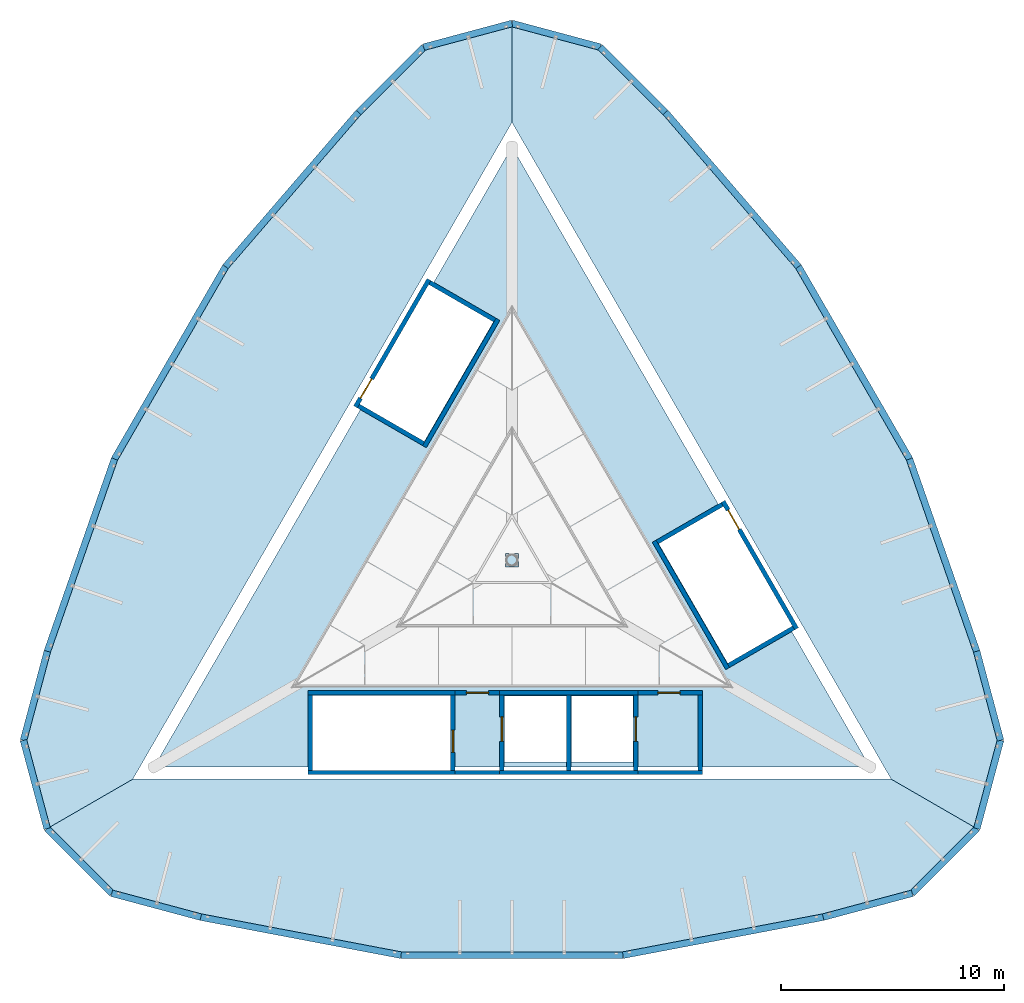
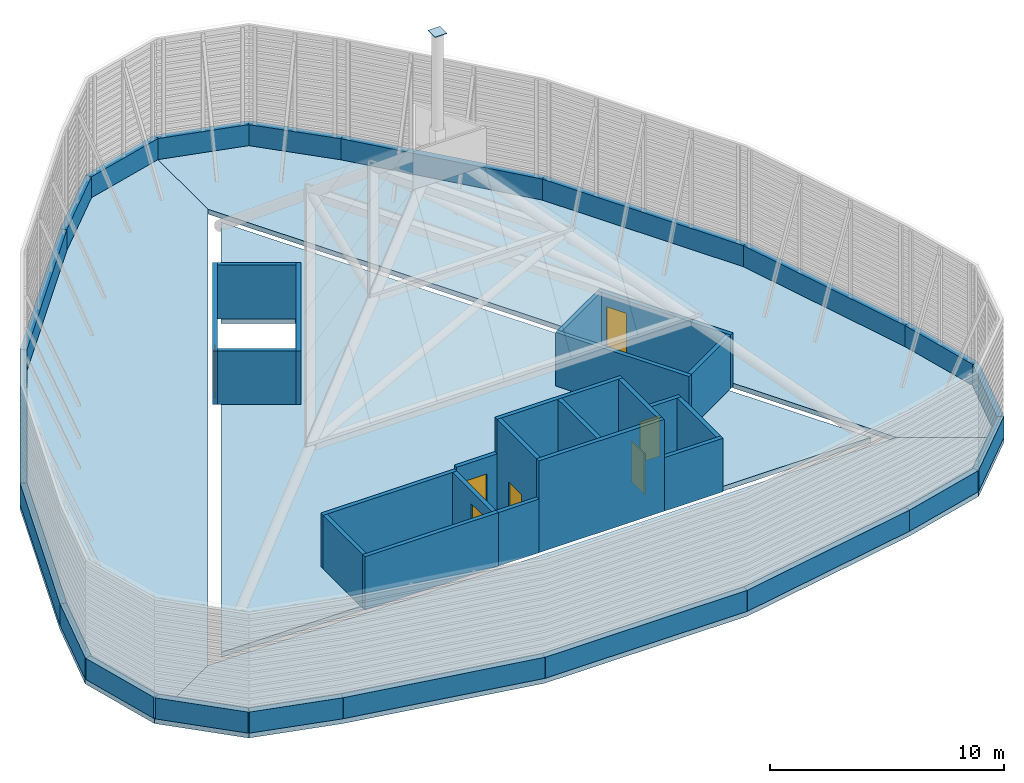
# One storey, part 2 of 6: 43 walls, 7 doors, 4 slabs, 1 plate, 7 openings.
"""IFC4 building model written with IfcOpenShell, lengths in metres."""

from ifc_helpers import new_model, si_unit, direction, frame, frame_2d, origin, origin_2d, place, context, subcontext, project, spatial, polyline, rectangle, outline, extrude, material, layer, layer_set, type_object, element, fill, save


model = new_model("IFC4")

# Units and contexts
model_context = context("Model", 3, precision=1e-05, world=origin(), true_north=direction((0.0, 1.0)))
body_context = subcontext(model_context, "Body", "Model", "MODEL_VIEW")
ifc_project = project(units=[si_unit("LENGTHUNIT", "METRE"), si_unit("AREAUNIT", "SQUARE_METRE"), si_unit("VOLUMEUNIT", "CUBIC_METRE"), si_unit("PLANEANGLEUNIT", "RADIAN"), si_unit("MASSUNIT", "GRAM", prefix="KILO")], contexts=[model_context])

# Site, building, storey
site_placement = place(None, origin())
site = spatial("IfcSite", under=ifc_project, at=site_placement, CompositionType="ELEMENT")
building_placement = place(site_placement, origin())
building = spatial("IfcBuilding", under=site, at=building_placement, Name="Trikona Tower", CompositionType="ELEMENT")
storey_placement = place(building_placement, frame((0.0, 0.0, 303.800048828125)))
storey = spatial("IfcBuildingStorey", under=building, at=storey_placement, Name="RF", CompositionType="ELEMENT", Elevation=303.800048828125)

# Plate
ifc_material_1 = material(Name="Steel ASTM A572 Grade 50", Category="steel")
ifc_layer_1 = layer(ifc_material_1, 0.02490234375)
ifc_layer_set_1 = layer_set([ifc_layer_1], Name="Spire mast cap plate 25")
plate_type = type_object("IfcPlateType", Name="Spire mast cap plate 25", PredefinedType="USERDEFINED", material=ifc_layer_set_1)
plate_placement = place(storey_placement, frame((0.0, 0.0, 21.175048828125), z_axis=(0.0, 0.0, 1.0), x_axis=(1.0, 0.0, 0.0)))
element("IfcPlate", 1, at=plate_placement, inside=storey, type_object=plate_type, Name="Spire mast cap plate", ObjectType="SPIRE MAST CAP PLATE", PredefinedType="USERDEFINED", context=body_context, shape_type="SweptSolid", body=[
    extrude(rectangle(XDim=0.60009765625, YDim=0.60009765625, at=origin_2d()), origin(), (0.0, 0.0, 1.0), 0.02490234375),
])

# Slabs
ifc_material_2 = material(Name="Concrete f'c 5000 psi on composite steel deck", Category="concrete")
ifc_layer_2 = layer(ifc_material_2, 0.25)
ifc_layer_set_2 = layer_set([ifc_layer_2], Name="Terrace slab 250")
slab_type = type_object("IfcSlabType", Name="Terrace slab 250", PredefinedType="ROOF", material=ifc_layer_set_2)
slab_1_placement = place(storey_placement, frame((0.0, 0.0, -0.25)))
element("IfcSlab", 2, at=slab_1_placement, inside=storey, type_object=slab_type, Name="Roof slab core", PredefinedType="ROOF", context=body_context, shape_type="SweptSolid", body=[
    extrude(outline(polyline([(-16.06689453125, -9.2763671875), (-8.949951171875, -9.2763671875), (-8.949951171875, -6.076416015625), (-2.75, -6.076416015625), (-2.75, -9.2763671875), (16.06689453125, -9.2763671875), (12.45849609375, -3.026123046875), (9.687255859375, -4.626220703125), (6.587158203125, 0.7431640625), (9.3583984375, 2.34326171875), (0.0, 18.552490234375), (-3.6083984375, 12.302490234375), (-0.837158203125, 10.702392578125), (-3.937255859375, 5.3330078125), (-6.70849609375, 6.93310546875), (-16.06689453125, -9.2763671875)]), holes=[polyline([(5.43994140625, -9.06640625), (5.43994140625, -6.086181640625), (2.659912109375, -6.086181640625), (2.659912109375, -9.06640625), (5.43994140625, -9.06640625)]), polyline([(2.43994140625, -6.086181640625), (-0.340087890625, -6.086181640625), (-0.340087890625, -9.06640625), (2.43994140625, -9.06640625), (2.43994140625, -6.086181640625)])]), origin(), (0.0, 0.0, 1.0), 0.25),
])
slab_2_placement = place(storey_placement, frame((0.0, 0.0, -0.25)))
element("IfcSlab", 3, at=slab_2_placement, inside=storey, type_object=slab_type, Name="Roof slab south", PredefinedType="ROOF", context=body_context, shape_type="SweptSolid", body=[
    extrude(outline(polyline([(21.0, -12.12451171875), (17.01953125, -9.826416015625), (-17.01953125, -9.826416015625), (-21.0, -12.12451171875), (-18.04150390625, -15.0830078125), (-14.0, -16.165771484375), (-5.0, -17.875732421875), (5.0, -17.875732421875), (14.0, -16.165771484375), (18.04150390625, -15.0830078125), (21.0, -12.12451171875)])), origin(), (0.0, 0.0, 1.0), 0.25),
])
slab_3_placement = place(storey_placement, frame((0.0, 0.0, -0.25)))
element("IfcSlab", 4, at=slab_3_placement, inside=storey, type_object=slab_type, Name="Roof slab north-east", PredefinedType="ROOF", context=body_context, shape_type="SweptSolid", body=[
    extrude(outline(polyline([(4.04150390625, 23.165771484375), (0.0, 24.248779296875), (0.0, 19.652587890625), (17.01953125, -9.826416015625), (21.0, -12.12451171875), (22.0830078125, -8.0830078125), (21.0, -4.04150390625), (17.98095703125, 4.60791015625), (12.98095703125, 13.26806640625), (7.0, 20.207275390625), (4.04150390625, 23.165771484375)])), origin(), (0.0, 0.0, 1.0), 0.25),
])
slab_4_placement = place(storey_placement, frame((0.0, 0.0, -0.25)))
element("IfcSlab", 5, at=slab_4_placement, inside=storey, type_object=slab_type, Name="Roof slab north-west", PredefinedType="ROOF", context=body_context, shape_type="SweptSolid", body=[
    extrude(outline(polyline([(-7.0, 20.207275390625), (-12.98095703125, 13.26806640625), (-17.98095703125, 4.60791015625), (-21.0, -4.04150390625), (-22.0830078125, -8.0830078125), (-21.0, -12.12451171875), (-17.01953125, -9.826416015625), (0.0, 19.652587890625), (0.0, 24.248779296875), (-4.04150390625, 23.165771484375), (-7.0, 20.207275390625)])), origin(), (0.0, 0.0, 1.0), 0.25),
])

# Walls
ifc_material_3 = material(Name="Concrete f'c 6000 psi", Category="concrete")
ifc_layer_3 = layer(ifc_material_3, 0.199951171875)
ifc_layer_set_3 = layer_set([ifc_layer_3], Name="Lift penthouse wall 200")
wall_type_1 = type_object("IfcWallType", Name="Lift penthouse wall 200", PredefinedType="SOLIDWALL", material=ifc_layer_set_3)
for number, where, z_axis, x_axis, name in (
    (6, (-0.550048828125, -5.951416015625, 0.0), (0.0, 0.0, 1.0), (1.0, 0.0, 0.0), "Lifts FF1 and FF2 overrun wall north"),
    (7, (-0.550048828125, -9.5263671875, 0.0), (0.0, 0.0, 1.0), (1.0, 0.0, 0.0), "Lifts FF1 and FF2 overrun wall south"),
):
    element("IfcWall", number, at=place(storey_placement, frame(where, z_axis=z_axis, x_axis=x_axis)), inside=storey, type_object=wall_type_1, Name=name, PredefinedType="SOLIDWALL", context=body_context, shape_type="SweptSolid", body=[
        extrude(rectangle(XDim=6.199951171875, YDim=0.199951171875, at=frame_2d((3.10009765625, 0.0))), origin(), (0.0, 0.0, 1.0), 4.800048828125),
    ])

# Wall, opening, door
wall_1_placement = place(storey_placement, frame((-0.449951171875, -6.05126953125, 0.0), z_axis=(0.0, 0.0, 1.0), x_axis=(0.0, -1.0, 0.0)))
wall_1 = element("IfcWall", 8, at=wall_1_placement, inside=storey, type_object=wall_type_1, Name="Lifts FF1 and FF2 overrun wall west", PredefinedType="SOLIDWALL", context=body_context, shape_type="SweptSolid", body=[
    extrude(rectangle(XDim=3.375, YDim=0.199951171875, at=frame_2d((1.6875, 0.0))), origin(), (0.0, 0.0, 1.0), 4.800048828125),
])
opening_1_placement = place(wall_1_placement, frame((0.97509765625, 0.0, 0.0)))
opening_1 = element("IfcOpeningElement", 9, at=opening_1_placement, cuts=wall_1, Name="Opening LD", PredefinedType="OPENING", context=body_context, shape_type="SweptSolid", body=[
    extrude(rectangle(XDim=1.10009765625, YDim=2.1298828125, at=frame_2d((0.550048828125, 1.06494140625))), frame((0.0, 0.10986328125, 0.0), z_axis=(0.0, -1.0, 0.0), x_axis=(1.0, 0.0, 0.0)), (0.0, 0.0, 1.0), 0.219970703125),
])
ifc_material_4 = material(Name="Stainless steel lift landing door", Category="steel")
door_type_1 = type_object("IfcDoorType", Name="Lift landing door 1100x2130", OperationType="DOUBLE_DOOR_SLIDING", PredefinedType="USERDEFINED", material=ifc_material_4)
door_1_placement = place(opening_1_placement, origin())
door_1 = element("IfcDoor", 10, at=door_1_placement, inside=storey, type_object=door_type_1, Name="Lift landing door FF1", ObjectType="LIFT LANDING DOOR", OperationType="DOUBLE_DOOR_SLIDING", OverallHeight=2.1298828125, OverallWidth=1.10009765625, PredefinedType="USERDEFINED", context=body_context, shape_type="SweptSolid", body=[
    extrude(rectangle(XDim=1.10009765625, YDim=2.1298828125, at=frame_2d((0.550048828125, 1.06494140625))), frame((0.0, 0.02490234375, 0.0), z_axis=(0.0, -1.0, 0.0), x_axis=(1.0, 0.0, 0.0)), (0.0, 0.0, 1.0), 0.050048828125),
])
fill(opening_1, door_1)

wall_2_placement = place(storey_placement, frame((5.550048828125, -6.05126953125, 0.0), z_axis=(0.0, 0.0, 1.0), x_axis=(0.0, -1.0, 0.0)))
wall_2 = element("IfcWall", 11, at=wall_2_placement, inside=storey, type_object=wall_type_1, Name="Lifts FF1 and FF2 overrun wall east", PredefinedType="SOLIDWALL", context=body_context, shape_type="SweptSolid", body=[
    extrude(rectangle(XDim=3.375, YDim=0.199951171875, at=frame_2d((1.6875, 0.0))), origin(), (0.0, 0.0, 1.0), 4.800048828125),
])
opening_2_placement = place(wall_2_placement, frame((0.97509765625, 0.0, 0.0)))
opening_2 = element("IfcOpeningElement", 12, at=opening_2_placement, cuts=wall_2, Name="Opening LD", PredefinedType="OPENING", context=body_context, shape_type="SweptSolid", body=[
    extrude(rectangle(XDim=1.10009765625, YDim=2.1298828125, at=frame_2d((0.550048828125, 1.06494140625))), frame((0.0, 0.10986328125, 0.0), z_axis=(0.0, -1.0, 0.0), x_axis=(1.0, 0.0, 0.0)), (0.0, 0.0, 1.0), 0.219970703125),
])
door_2_placement = place(opening_2_placement, origin())
door_2 = element("IfcDoor", 13, at=door_2_placement, inside=storey, type_object=door_type_1, Name="Lift landing door FF2", ObjectType="LIFT LANDING DOOR", OperationType="DOUBLE_DOOR_SLIDING", OverallHeight=2.1298828125, OverallWidth=1.10009765625, PredefinedType="USERDEFINED", context=body_context, shape_type="SweptSolid", body=[
    extrude(rectangle(XDim=1.10009765625, YDim=2.1298828125, at=frame_2d((0.550048828125, 1.06494140625))), frame((0.0, 0.02490234375, 0.0), z_axis=(0.0, -1.0, 0.0), x_axis=(1.0, 0.0, 0.0)), (0.0, 0.0, 1.0), 0.050048828125),
])
fill(opening_2, door_2)

# Wall
wall_3_placement = place(storey_placement, frame((5.64990234375, -9.5263671875, 0.0), z_axis=(0.0, 0.0, 1.0), x_axis=(1.0, 0.0, 0.0)))
element("IfcWall", 14, at=wall_3_placement, inside=storey, type_object=wall_type_1, Name="Lift FF2 roof lobby wall south", PredefinedType="SOLIDWALL", context=body_context, shape_type="SweptSolid", body=[
    extrude(rectangle(XDim=2.900146484375, YDim=0.199951171875, at=frame_2d((1.4501953125, 0.0))), origin(), (0.0, 0.0, 1.0), 2.800048828125),
])

# Wall, opening, door
wall_4_placement = place(storey_placement, frame((5.64990234375, -5.951416015625, 0.0), z_axis=(0.0, 0.0, 1.0), x_axis=(1.0, 0.0, 0.0)))
wall_4 = element("IfcWall", 15, at=wall_4_placement, inside=storey, type_object=wall_type_1, Name="Lift FF2 roof lobby wall north", PredefinedType="SOLIDWALL", context=body_context, shape_type="SweptSolid", body=[
    extrude(rectangle(XDim=2.900146484375, YDim=0.199951171875, at=frame_2d((1.4501953125, 0.0))), origin(), (0.0, 0.0, 1.0), 2.800048828125),
])
opening_3_placement = place(wall_4_placement, frame((0.89990234375, 0.0, 0.0)))
opening_3 = element("IfcOpeningElement", 16, at=opening_3_placement, cuts=wall_4, Name="Opening D12", PredefinedType="OPENING", context=body_context, shape_type="SweptSolid", body=[
    extrude(rectangle(XDim=1.0, YDim=2.1298828125, at=frame_2d((0.5, 1.06494140625))), frame((0.0, 0.10986328125, 0.0), z_axis=(0.0, -1.0, 0.0), x_axis=(1.0, 0.0, 0.0)), (0.0, 0.0, 1.0), 0.219970703125),
])
ifc_material_5 = material(Name="Hollow metal door and frame", Category="steel")
door_type_2 = type_object("IfcDoorType", Name="Roof lobby door 1000x2130", OperationType="SINGLE_SWING_LEFT", PredefinedType="DOOR", material=ifc_material_5)
door_3_placement = place(opening_3_placement, origin())
door_3 = element("IfcDoor", 17, at=door_3_placement, inside=storey, type_object=door_type_2, Name="Lift FF2 roof lobby door", OperationType="SINGLE_SWING_LEFT", OverallHeight=2.1298828125, OverallWidth=1.0, PredefinedType="DOOR", context=body_context, shape_type="SweptSolid", body=[
    extrude(rectangle(XDim=1.0, YDim=2.1298828125, at=frame_2d((0.5, 1.06494140625))), frame((0.0, 0.02490234375, 0.0), z_axis=(0.0, -1.0, 0.0), x_axis=(1.0, 0.0, 0.0)), (0.0, 0.0, 1.0), 0.050048828125),
])
fill(opening_3, door_3)

# Walls
wall_5_placement = place(storey_placement, frame((8.449951171875, -6.05126953125, 0.0), z_axis=(0.0, 0.0, 1.0), x_axis=(0.0, -1.0, 0.0)))
element("IfcWall", 18, at=wall_5_placement, inside=storey, type_object=wall_type_1, Name="Lift FF2 roof lobby wall east", PredefinedType="SOLIDWALL", context=body_context, shape_type="SweptSolid", body=[
    extrude(rectangle(XDim=3.375, YDim=0.199951171875, at=frame_2d((1.6875, 0.0))), origin(), (0.0, 0.0, 1.0), 2.800048828125),
])
ifc_material_6 = material(Name="Brick-faced precast concrete", Category="masonry")
ifc_layer_4 = layer(ifc_material_6, 0.300048828125)
ifc_layer_set_4 = layer_set([ifc_layer_4], Name="Parapet wall 300")
wall_type_2 = type_object("IfcWallType", Name="Parapet wall 300", PredefinedType="PARAPET", material=ifc_layer_set_4)
wall_6_placement = place(storey_placement, frame((-13.966552734375, -16.01953125, 0.0), z_axis=(0.0, 0.0, 1.0), x_axis=(-0.965927774985, 0.258811772361, 0.0)))
element("IfcWall", 19, at=wall_6_placement, inside=storey, type_object=wall_type_2, Name="Parapet RF-00", PredefinedType="PARAPET", context=body_context, shape_type="SweptSolid", body=[
    extrude(rectangle(XDim=4.138427734375, YDim=0.300048828125, at=frame_2d((2.0693359375, 0.0))), origin(), (0.0, 0.0, 1.0), 1.099853515625),
])
wall_7_placement = place(storey_placement, frame((-17.9638671875, -14.948486328125, 0.0), z_axis=(0.0, 0.0, 1.0), x_axis=(-0.707106781187, 0.707106781187, 0.0)))
element("IfcWall", 20, at=wall_7_placement, inside=storey, type_object=wall_type_2, Name="Parapet RF-01", PredefinedType="PARAPET", context=body_context, shape_type="SweptSolid", body=[
    extrude(rectangle(XDim=4.103515625, YDim=0.300048828125, at=frame_2d((2.0517578125, 0.0))), origin(), (0.0, 0.0, 1.0), 1.099853515625),
])
wall_8_placement = place(storey_placement, frame((-20.865478515625, -12.046875, 0.0), z_axis=(0.0, 0.0, 1.0), x_axis=(-0.258795560265, 0.965932118726, 0.0)))
element("IfcWall", 21, at=wall_8_placement, inside=storey, type_object=wall_type_2, Name="Parapet RF-02", PredefinedType="PARAPET", context=body_context, shape_type="SweptSolid", body=[
    extrude(rectangle(XDim=4.103759765625, YDim=0.300048828125, at=frame_2d((2.0517578125, 0.0))), origin(), (0.0, 0.0, 1.0), 1.099853515625),
])
wall_9_placement = place(storey_placement, frame((-21.927490234375, -8.0830078125, 0.0), z_axis=(0.0, 0.0, 1.0), x_axis=(0.258811772361, 0.965927774985, 0.0)))
element("IfcWall", 22, at=wall_9_placement, inside=storey, type_object=wall_type_2, Name="Parapet RF-03", PredefinedType="PARAPET", context=body_context, shape_type="SweptSolid", body=[
    extrude(rectangle(XDim=4.138427734375, YDim=0.300048828125, at=frame_2d((2.0693359375, 0.0))), origin(), (0.0, 0.0, 1.0), 1.099853515625),
])
wall_10_placement = place(storey_placement, frame((-20.8564453125, -4.085693359375, 0.0), z_axis=(0.0, 0.0, 1.0), x_axis=(0.329544913092, 0.944139899726, 0.0)))
element("IfcWall", 23, at=wall_10_placement, inside=storey, type_object=wall_type_2, Name="Parapet RF-04", PredefinedType="PARAPET", context=body_context, shape_type="SweptSolid", body=[
    extrude(rectangle(XDim=9.141357421875, YDim=0.300048828125, at=frame_2d((4.57080078125, 0.0))), origin(), (0.0, 0.0, 1.0), 1.099853515625),
])
wall_11_placement = place(storey_placement, frame((-17.843994140625, 4.544921875, 0.0), z_axis=(0.0, 0.0, 1.0), x_axis=(0.499988779369, 0.866031881922, 0.0)))
element("IfcWall", 24, at=wall_11_placement, inside=storey, type_object=wall_type_2, Name="Parapet RF-05", PredefinedType="PARAPET", context=body_context, shape_type="SweptSolid", body=[
    extrude(rectangle(XDim=9.971923828125, YDim=0.300048828125, at=frame_2d((4.98583984375, 0.0))), origin(), (0.0, 0.0, 1.0), 1.099853515625),
])
wall_12_placement = place(storey_placement, frame((-12.858154296875, 13.180908203125, 0.0), z_axis=(0.0, 0.0, 1.0), x_axis=(0.652878336022, 0.757462790078, 0.0)))
element("IfcWall", 25, at=wall_12_placement, inside=storey, type_object=wall_type_2, Name="Parapet RF-06", PredefinedType="PARAPET", context=body_context, shape_type="SweptSolid", body=[
    extrude(rectangle(XDim=9.141357421875, YDim=0.300048828125, at=frame_2d((4.57080078125, 0.0))), origin(), (0.0, 0.0, 1.0), 1.099853515625),
])
wall_13_placement = place(storey_placement, frame((-6.889892578125, 20.105224609375, 0.0), z_axis=(0.0, 0.0, 1.0), x_axis=(0.707106781187, 0.707106781187, 0.0)))
element("IfcWall", 26, at=wall_13_placement, inside=storey, type_object=wall_type_2, Name="Parapet RF-07", PredefinedType="PARAPET", context=body_context, shape_type="SweptSolid", body=[
    extrude(rectangle(XDim=4.137939453125, YDim=0.300048828125, at=frame_2d((2.06884765625, 0.0))), origin(), (0.0, 0.0, 1.0), 1.099853515625),
])
for number, where, z_axis, x_axis, name in (
    (27, (-3.9638671875, 23.03125, 0.0), (0.0, 0.0, 1.0), (0.965917245305, 0.258851067647, 0.0), "Parapet RF-08"),
    (28, (0.0, 24.093505859375, 0.0), (0.0, 0.0, 1.0), (0.965917245305, -0.258851067647, 0.0), "Parapet RF-09"),
):
    element("IfcWall", number, at=place(storey_placement, frame(where, z_axis=z_axis, x_axis=x_axis)), inside=storey, type_object=wall_type_2, Name=name, PredefinedType="PARAPET", context=body_context, shape_type="SweptSolid", body=[
        extrude(rectangle(XDim=4.103759765625, YDim=0.300048828125, at=frame_2d((2.0517578125, 0.0))), origin(), (0.0, 0.0, 1.0), 1.099853515625),
    ])
wall_14_placement = place(storey_placement, frame((3.9638671875, 23.03125, 0.0), z_axis=(0.0, 0.0, 1.0), x_axis=(0.707106781187, -0.707106781187, 0.0)))
element("IfcWall", 29, at=wall_14_placement, inside=storey, type_object=wall_type_2, Name="Parapet RF-10", PredefinedType="PARAPET", context=body_context, shape_type="SweptSolid", body=[
    extrude(rectangle(XDim=4.137939453125, YDim=0.300048828125, at=frame_2d((2.06884765625, 0.0))), origin(), (0.0, 0.0, 1.0), 1.099853515625),
])
wall_15_placement = place(storey_placement, frame((6.889892578125, 20.105224609375, 0.0), z_axis=(0.0, 0.0, 1.0), x_axis=(0.652878336022, -0.757462790078, 0.0)))
element("IfcWall", 30, at=wall_15_placement, inside=storey, type_object=wall_type_2, Name="Parapet RF-11", PredefinedType="PARAPET", context=body_context, shape_type="SweptSolid", body=[
    extrude(rectangle(XDim=9.141357421875, YDim=0.300048828125, at=frame_2d((4.57080078125, 0.0))), origin(), (0.0, 0.0, 1.0), 1.099853515625),
])
wall_16_placement = place(storey_placement, frame((12.858154296875, 13.180908203125, 0.0), z_axis=(0.0, 0.0, 1.0), x_axis=(0.499988779369, -0.866031881922, 0.0)))
element("IfcWall", 31, at=wall_16_placement, inside=storey, type_object=wall_type_2, Name="Parapet RF-12", PredefinedType="PARAPET", context=body_context, shape_type="SweptSolid", body=[
    extrude(rectangle(XDim=9.971923828125, YDim=0.300048828125, at=frame_2d((4.98583984375, 0.0))), origin(), (0.0, 0.0, 1.0), 1.099853515625),
])
wall_17_placement = place(storey_placement, frame((17.843994140625, 4.544921875, 0.0), z_axis=(0.0, 0.0, 1.0), x_axis=(0.329544913092, -0.944139899726, 0.0)))
element("IfcWall", 32, at=wall_17_placement, inside=storey, type_object=wall_type_2, Name="Parapet RF-13", PredefinedType="PARAPET", context=body_context, shape_type="SweptSolid", body=[
    extrude(rectangle(XDim=9.141357421875, YDim=0.300048828125, at=frame_2d((4.57080078125, 0.0))), origin(), (0.0, 0.0, 1.0), 1.099853515625),
])
wall_18_placement = place(storey_placement, frame((20.8564453125, -4.085693359375, 0.0), z_axis=(0.0, 0.0, 1.0), x_axis=(0.258811772361, -0.965927774985, 0.0)))
element("IfcWall", 33, at=wall_18_placement, inside=storey, type_object=wall_type_2, Name="Parapet RF-14", PredefinedType="PARAPET", context=body_context, shape_type="SweptSolid", body=[
    extrude(rectangle(XDim=4.138427734375, YDim=0.300048828125, at=frame_2d((2.0693359375, 0.0))), origin(), (0.0, 0.0, 1.0), 1.099853515625),
])
wall_19_placement = place(storey_placement, frame((21.927490234375, -8.0830078125, 0.0), z_axis=(0.0, 0.0, 1.0), x_axis=(-0.258795560265, -0.965932118726, 0.0)))
element("IfcWall", 34, at=wall_19_placement, inside=storey, type_object=wall_type_2, Name="Parapet RF-15", PredefinedType="PARAPET", context=body_context, shape_type="SweptSolid", body=[
    extrude(rectangle(XDim=4.103759765625, YDim=0.300048828125, at=frame_2d((2.0517578125, 0.0))), origin(), (0.0, 0.0, 1.0), 1.099853515625),
])
wall_20_placement = place(storey_placement, frame((20.865478515625, -12.046875, 0.0), z_axis=(0.0, 0.0, 1.0), x_axis=(-0.707106781187, -0.707106781187, 0.0)))
element("IfcWall", 35, at=wall_20_placement, inside=storey, type_object=wall_type_2, Name="Parapet RF-16", PredefinedType="PARAPET", context=body_context, shape_type="SweptSolid", body=[
    extrude(rectangle(XDim=4.103515625, YDim=0.300048828125, at=frame_2d((2.0517578125, 0.0))), origin(), (0.0, 0.0, 1.0), 1.099853515625),
])
wall_21_placement = place(storey_placement, frame((17.9638671875, -14.948486328125, 0.0), z_axis=(0.0, 0.0, 1.0), x_axis=(-0.965927774985, -0.258811772361, 0.0)))
element("IfcWall", 36, at=wall_21_placement, inside=storey, type_object=wall_type_2, Name="Parapet RF-17", PredefinedType="PARAPET", context=body_context, shape_type="SweptSolid", body=[
    extrude(rectangle(XDim=4.138427734375, YDim=0.300048828125, at=frame_2d((2.0693359375, 0.0))), origin(), (0.0, 0.0, 1.0), 1.099853515625),
])
wall_22_placement = place(storey_placement, frame((13.966552734375, -16.01953125, 0.0), z_axis=(0.0, 0.0, 1.0), x_axis=(-0.982425186329, -0.186656779319, 0.0)))
element("IfcWall", 37, at=wall_22_placement, inside=storey, type_object=wall_type_2, Name="Parapet RF-18", PredefinedType="PARAPET", context=body_context, shape_type="SweptSolid", body=[
    extrude(rectangle(XDim=9.141357421875, YDim=0.300048828125, at=frame_2d((4.57080078125, 0.0))), origin(), (0.0, 0.0, 1.0), 1.099853515625),
])
wall_23_placement = place(storey_placement, frame((4.98583984375, -17.725830078125, 0.0), z_axis=(0.0, 0.0, 1.0), x_axis=(-1.0, 0.0, 0.0)))
element("IfcWall", 38, at=wall_23_placement, inside=storey, type_object=wall_type_2, Name="Parapet RF-19", PredefinedType="PARAPET", context=body_context, shape_type="SweptSolid", body=[
    extrude(rectangle(XDim=9.9716796875, YDim=0.300048828125, at=frame_2d((4.98583984375, 0.0))), origin(), (0.0, 0.0, 1.0), 1.099853515625),
])
wall_24_placement = place(storey_placement, frame((-4.98583984375, -17.725830078125, 0.0), z_axis=(0.0, 0.0, 1.0), x_axis=(-0.982425186329, 0.186656779319, 0.0)))
element("IfcWall", 39, at=wall_24_placement, inside=storey, type_object=wall_type_2, Name="Parapet RF-20", PredefinedType="PARAPET", context=body_context, shape_type="SweptSolid", body=[
    extrude(rectangle(XDim=9.141357421875, YDim=0.300048828125, at=frame_2d((4.57080078125, 0.0))), origin(), (0.0, 0.0, 1.0), 1.099853515625),
])

# Wall, opening, door
ifc_material_7 = material(Name="Grouted concrete masonry, non-load-bearing", Category="masonry")
ifc_layer_5 = layer(ifc_material_7, 0.199951171875)
ifc_layer_set_5 = layer_set([ifc_layer_5], Name="Roof lobby wall 200")
wall_type_3 = type_object("IfcWallType", Name="Roof lobby wall 200", PredefinedType="SOLIDWALL", material=ifc_layer_set_5)
wall_25_placement = place(storey_placement, frame((-2.550048828125, -5.951416015625, 0.0), z_axis=(0.0, 0.0, 1.0), x_axis=(1.0, 0.0, 0.0)))
wall_25 = element("IfcWall", 40, at=wall_25_placement, inside=storey, type_object=wall_type_3, Name="Roof lobby wall north", PredefinedType="SOLIDWALL", context=body_context, shape_type="SweptSolid", body=[
    extrude(rectangle(XDim=2.0, YDim=0.199951171875, at=frame_2d((1.0, 0.0))), origin(), (0.0, 0.0, 1.0), 3.0),
])
opening_4_placement = place(wall_25_placement, frame((0.5, 0.0, 0.0)))
opening_4 = element("IfcOpeningElement", 41, at=opening_4_placement, cuts=wall_25, Name="Opening D12", PredefinedType="OPENING", context=body_context, shape_type="SweptSolid", body=[
    extrude(rectangle(XDim=1.0, YDim=2.1298828125, at=frame_2d((0.5, 1.06494140625))), frame((0.0, 0.10986328125, 0.0), z_axis=(0.0, -1.0, 0.0), x_axis=(1.0, 0.0, 0.0)), (0.0, 0.0, 1.0), 0.219970703125),
])
door_4_placement = place(opening_4_placement, origin())
door_4 = element("IfcDoor", 42, at=door_4_placement, inside=storey, type_object=door_type_2, Name="Roof lobby door", OperationType="SINGLE_SWING_LEFT", OverallHeight=2.1298828125, OverallWidth=1.0, PredefinedType="DOOR", context=body_context, shape_type="SweptSolid", body=[
    extrude(rectangle(XDim=1.0, YDim=2.1298828125, at=frame_2d((0.5, 1.06494140625))), frame((0.0, 0.02490234375, 0.0), z_axis=(0.0, -1.0, 0.0), x_axis=(1.0, 0.0, 0.0)), (0.0, 0.0, 1.0), 0.050048828125),
])
fill(opening_4, door_4)

# Walls
ifc_material_8 = material(Name="Concrete f'c 8000 psi", Category="concrete")
ifc_layer_6 = layer(ifc_material_8, 0.199951171875)
ifc_layer_set_6 = layer_set([ifc_layer_6], Name="Shaft wall 200")
wall_type_4 = type_object("IfcWallType", Name="Shaft wall 200", PredefinedType="SOLIDWALL", material=ifc_layer_set_6)
wall_26_placement = place(storey_placement, frame((2.550048828125, -6.05126953125, 0.0), z_axis=(0.0, 0.0, 1.0), x_axis=(0.0, -1.0, 0.0)))
element("IfcWall", 43, at=wall_26_placement, inside=storey, type_object=wall_type_4, Name="Lifts FF1 and FF2 overrun shaft wall", PredefinedType="SOLIDWALL", context=body_context, shape_type="SweptSolid", body=[
    extrude(rectangle(XDim=3.375, YDim=0.199951171875, at=frame_2d((1.6875, 0.0))), origin(), (0.0, 0.0, 1.0), 4.800048828125),
])
ifc_material_9 = material(Name="Concrete f'c 6000 psi", Category="concrete")
ifc_layer_7 = layer(ifc_material_9, 0.199951171875)
ifc_layer_set_7 = layer_set([ifc_layer_7], Name="Stair penthouse wall 200")
wall_type_5 = type_object("IfcWallType", Name="Stair penthouse wall 200", PredefinedType="SOLIDWALL", material=ifc_layer_set_7)
for number, where, z_axis, x_axis, name in (
    (44, (-9.14990234375, -9.5263671875, 0.0), (0.0, 0.0, 1.0), (1.0, 0.0, 0.0), "Stair A penthouse wall south"),
    (45, (-9.14990234375, -5.951416015625, 0.0), (0.0, 0.0, 1.0), (1.0, 0.0, 0.0), "Stair A penthouse wall north"),
):
    element("IfcWall", number, at=place(storey_placement, frame(where, z_axis=z_axis, x_axis=x_axis)), inside=storey, type_object=wall_type_5, Name=name, PredefinedType="SOLIDWALL", context=body_context, shape_type="SweptSolid", body=[
        extrude(rectangle(XDim=6.599853515625, YDim=0.199951171875, at=frame_2d((3.2998046875, 0.0))), origin(), (0.0, 0.0, 1.0), 2.800048828125),
    ])
wall_27_placement = place(storey_placement, frame((-9.050048828125, -6.05126953125, 0.0), z_axis=(0.0, 0.0, 1.0), x_axis=(0.0, -1.0, 0.0)))
element("IfcWall", 46, at=wall_27_placement, inside=storey, type_object=wall_type_5, Name="Stair A penthouse wall west", PredefinedType="SOLIDWALL", context=body_context, shape_type="SweptSolid", body=[
    extrude(rectangle(XDim=3.375, YDim=0.199951171875, at=frame_2d((1.6875, 0.0))), origin(), (0.0, 0.0, 1.0), 2.800048828125),
])

# Wall, opening, door
wall_28_placement = place(storey_placement, frame((-2.64990234375, -6.05126953125, 0.0), z_axis=(0.0, 0.0, 1.0), x_axis=(0.0, -1.0, 0.0)))
wall_28 = element("IfcWall", 47, at=wall_28_placement, inside=storey, type_object=wall_type_5, Name="Stair A penthouse wall east", PredefinedType="SOLIDWALL", context=body_context, shape_type="SweptSolid", body=[
    extrude(rectangle(XDim=3.375, YDim=0.199951171875, at=frame_2d((1.6875, 0.0))), origin(), (0.0, 0.0, 1.0), 2.800048828125),
])
opening_5_placement = place(wall_28_placement, frame((1.574951171875, 0.0, 0.0)))
opening_5 = element("IfcOpeningElement", 48, at=opening_5_placement, cuts=wall_28, Name="Opening D5", PredefinedType="OPENING", context=body_context, shape_type="SweptSolid", body=[
    extrude(rectangle(XDim=1.0, YDim=2.1298828125, at=frame_2d((0.5, 1.06494140625))), frame((0.0, 0.10986328125, 0.0), z_axis=(0.0, -1.0, 0.0), x_axis=(1.0, 0.0, 0.0)), (0.0, 0.0, 1.0), 0.219970703125),
])
ifc_material_10 = material(Name="Hollow metal door and frame", Category="steel")
door_type_3 = type_object("IfcDoorType", Name="Stair door 1000x2130", OperationType="SINGLE_SWING_LEFT", PredefinedType="DOOR", material=ifc_material_10)
door_5_placement = place(opening_5_placement, origin())
door_5 = element("IfcDoor", 49, at=door_5_placement, inside=storey, type_object=door_type_3, Name="Stair A roof lobby door", OperationType="SINGLE_SWING_RIGHT", OverallHeight=2.1298828125, OverallWidth=1.0, PredefinedType="DOOR", context=body_context, shape_type="SweptSolid", body=[
    extrude(rectangle(XDim=1.0, YDim=2.1298828125, at=frame_2d((0.5, 1.06494140625))), frame((0.0, 0.02490234375, 0.0), z_axis=(0.0, -1.0, 0.0), x_axis=(1.0, 0.0, 0.0)), (0.0, 0.0, 1.0), 0.050048828125),
])
fill(opening_5, door_5)

# Wall
wall_29_placement = place(storey_placement, frame((-2.550048828125, -9.5263671875, 0.0), z_axis=(0.0, 0.0, 1.0), x_axis=(1.0, 0.0, 0.0)))
element("IfcWall", 50, at=wall_29_placement, inside=storey, type_object=wall_type_5, Name="Roof lobby wall south", PredefinedType="SOLIDWALL", context=body_context, shape_type="SweptSolid", body=[
    extrude(rectangle(XDim=2.0, YDim=0.199951171875, at=frame_2d((1.0, 0.0))), origin(), (0.0, 0.0, 1.0), 2.800048828125),
])

# Wall, opening, door
wall_30_placement = place(storey_placement, frame((12.77490234375, -3.074462890625, 0.0), z_axis=(0.0, 0.0, 1.0), x_axis=(-0.499974350878, 0.866040211805, 0.0)))
wall_30 = element("IfcWall", 51, at=wall_30_placement, inside=storey, type_object=wall_type_5, Name="Stair B penthouse wall south", PredefinedType="SOLIDWALL", context=body_context, shape_type="SweptSolid", body=[
    extrude(rectangle(XDim=6.599853515625, YDim=0.199951171875, at=frame_2d((3.2998046875, 0.0))), origin(), (0.0, 0.0, 1.0), 2.800048828125),
])
opening_6_placement = place(wall_30_placement, frame((5.14990234375, 0.0, 0.0)))
opening_6 = element("IfcOpeningElement", 52, at=opening_6_placement, cuts=wall_30, Name="Opening D5", PredefinedType="OPENING", context=body_context, shape_type="SweptSolid", body=[
    extrude(rectangle(XDim=1.0, YDim=2.1298828125, at=frame_2d((0.5, 1.06494140625))), frame((0.0, 0.10986328125, 0.0), z_axis=(0.0, -1.0, 0.0), x_axis=(1.0, 0.0, 0.0)), (0.0, 0.0, 1.0), 0.219970703125),
])
door_6_placement = place(opening_6_placement, origin())
door_6 = element("IfcDoor", 53, at=door_6_placement, inside=storey, type_object=door_type_3, Name="Stair B roof door", OperationType="SINGLE_SWING_RIGHT", OverallHeight=2.1298828125, OverallWidth=1.0, PredefinedType="DOOR", context=body_context, shape_type="SweptSolid", body=[
    extrude(rectangle(XDim=1.0, YDim=2.1298828125, at=frame_2d((0.5, 1.06494140625))), frame((0.0, 0.02490234375, 0.0), z_axis=(0.0, -1.0, 0.0), x_axis=(1.0, 0.0, 0.0)), (0.0, 0.0, 1.0), 0.050048828125),
])
fill(opening_6, door_6)

# Walls
wall_31_placement = place(storey_placement, frame((9.678955078125, -4.86181640625, 0.0), z_axis=(0.0, 0.0, 1.0), x_axis=(-0.500002094529, 0.866024194504, 0.0)))
element("IfcWall", 54, at=wall_31_placement, inside=storey, type_object=wall_type_5, Name="Stair B penthouse wall north", PredefinedType="SOLIDWALL", context=body_context, shape_type="SweptSolid", body=[
    extrude(rectangle(XDim=6.60009765625, YDim=0.199951171875, at=frame_2d((3.300048828125, 0.0))), origin(), (0.0, 0.0, 1.0), 2.800048828125),
])
for number, where, z_axis, x_axis, name in (
    (55, (9.715576171875, -4.725341796875, 0.0), (0.0, 0.0, 1.0), (0.866026575979, 0.499997969693, 0.0), "Stair B penthouse wall west"),
    (56, (6.515625, 0.8173828125, 0.0), (0.0, 0.0, 1.0), (0.866026575979, 0.499997969693, 0.0), "Stair B penthouse wall east"),
):
    element("IfcWall", number, at=place(storey_placement, frame(where, z_axis=z_axis, x_axis=x_axis)), inside=storey, type_object=wall_type_5, Name=name, PredefinedType="SOLIDWALL", context=body_context, shape_type="SweptSolid", body=[
        extrude(rectangle(XDim=3.375, YDim=0.199951171875, at=frame_2d((1.6875, 0.0))), origin(), (0.0, 0.0, 1.0), 2.800048828125),
    ])

# Wall, opening, door
wall_32_placement = place(storey_placement, frame((-3.72509765625, 12.6005859375, 0.0), z_axis=(0.0, 0.0, 1.0), x_axis=(-0.499990368459, -0.866030964486, 0.0)))
wall_32 = element("IfcWall", 57, at=wall_32_placement, inside=storey, type_object=wall_type_5, Name="Stair C penthouse wall south", PredefinedType="SOLIDWALL", context=body_context, shape_type="SweptSolid", body=[
    extrude(rectangle(XDim=6.599853515625, YDim=0.199951171875, at=frame_2d((3.2998046875, 0.0))), origin(), (0.0, 0.0, 1.0), 2.800048828125),
])
opening_7_placement = place(wall_32_placement, frame((5.14990234375, 0.0, 0.0)))
opening_7 = element("IfcOpeningElement", 58, at=opening_7_placement, cuts=wall_32, Name="Opening D5", PredefinedType="OPENING", context=body_context, shape_type="SweptSolid", body=[
    extrude(rectangle(XDim=1.0, YDim=2.1298828125, at=frame_2d((0.5, 1.06494140625))), frame((0.0, 0.10986328125, 0.0), z_axis=(0.0, -1.0, 0.0), x_axis=(1.0, 0.0, 0.0)), (0.0, 0.0, 1.0), 0.219970703125),
])
door_7_placement = place(opening_7_placement, origin())
door_7 = element("IfcDoor", 59, at=door_7_placement, inside=storey, type_object=door_type_3, Name="Stair C roof door", OperationType="SINGLE_SWING_RIGHT", OverallHeight=2.1298828125, OverallWidth=1.0, PredefinedType="DOOR", context=body_context, shape_type="SweptSolid", body=[
    extrude(rectangle(XDim=1.0, YDim=2.1298828125, at=frame_2d((0.5, 1.06494140625))), frame((0.0, 0.02490234375, 0.0), z_axis=(0.0, -1.0, 0.0), x_axis=(1.0, 0.0, 0.0)), (0.0, 0.0, 1.0), 0.050048828125),
])
fill(opening_7, door_7)

# Walls
wall_33_placement = place(storey_placement, frame((-0.62890625, 10.813232421875, 0.0), z_axis=(0.0, 0.0, 1.0), x_axis=(-0.500002094529, -0.866024194504, 0.0)))
element("IfcWall", 60, at=wall_33_placement, inside=storey, type_object=wall_type_5, Name="Stair C penthouse wall north", PredefinedType="SOLIDWALL", context=body_context, shape_type="SweptSolid", body=[
    extrude(rectangle(XDim=6.60009765625, YDim=0.199951171875, at=frame_2d((3.300048828125, 0.0))), origin(), (0.0, 0.0, 1.0), 2.800048828125),
])
for number, where, z_axis, x_axis, name in (
    (61, (-0.765625, 10.776611328125, 0.0), (0.0, 0.0, 1.0), (-0.866026575979, 0.499997969693, 0.0), "Stair C penthouse wall west"),
    (62, (-3.965576171875, 5.23388671875, 0.0), (0.0, 0.0, 1.0), (-0.866026575979, 0.499997969693, 0.0), "Stair C penthouse wall east"),
):
    element("IfcWall", number, at=place(storey_placement, frame(where, z_axis=z_axis, x_axis=x_axis)), inside=storey, type_object=wall_type_5, Name=name, PredefinedType="SOLIDWALL", context=body_context, shape_type="SweptSolid", body=[
        extrude(rectangle(XDim=3.375, YDim=0.199951171875, at=frame_2d((1.6875, 0.0))), origin(), (0.0, 0.0, 1.0), 2.800048828125),
    ])

save(model, "model.ifc")
